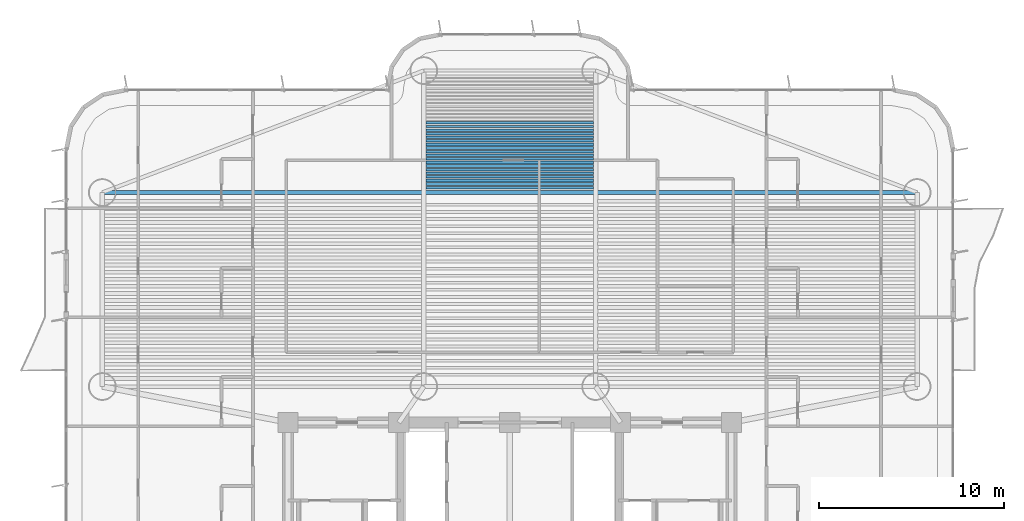
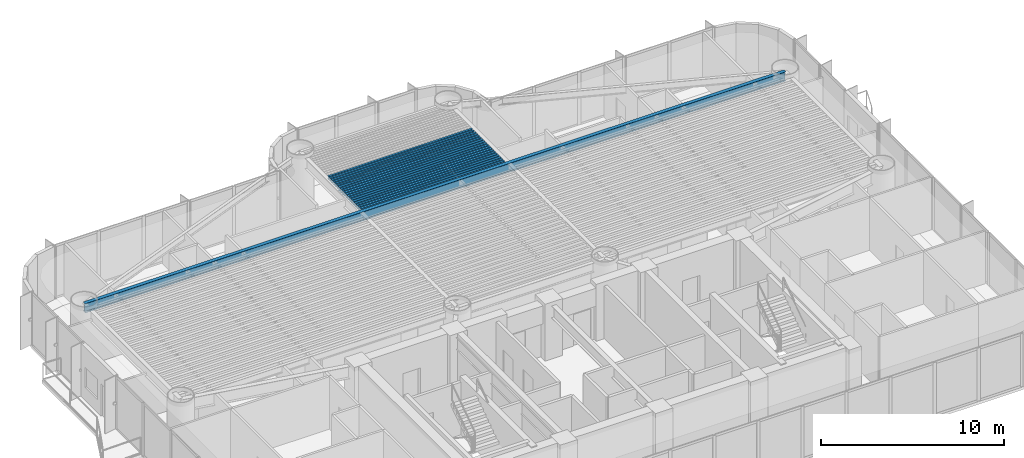
# One storey, part 4 of 18: 20 beams.
"""IFC4 building model written with IfcOpenShell, lengths in metres."""

from ifc_helpers import new_model, si_unit, direction, frame, origin, origin_2d, place, context, subcontext, project, spatial, i_section, extrude, source, transform, mapped, material, material_profile, profile_set, type_object, element, save


model = new_model("IFC4")

# Units and contexts
model_context = context("Model", 3, precision=1e-05, world=origin(), true_north=direction((0.0, 1.0)))
body_context = subcontext(model_context, "Body", "Model", "MODEL_VIEW")
ifc_project = project(units=[si_unit("LENGTHUNIT", "METRE"), si_unit("AREAUNIT", "SQUARE_METRE"), si_unit("VOLUMEUNIT", "CUBIC_METRE"), si_unit("PLANEANGLEUNIT", "RADIAN"), si_unit("MASSUNIT", "GRAM", prefix="KILO")], contexts=[model_context])

# Site, building, storey
site_placement = place(None, origin())
site = spatial("IfcSite", under=ifc_project, at=site_placement, CompositionType="ELEMENT")
building_placement = place(site_placement, origin())
building = spatial("IfcBuilding", under=site, at=building_placement, Name="Brelvock Crest Care Tower", CompositionType="ELEMENT")
storey_placement = place(building_placement, frame((0.0, 0.0, 38.340087890625)))
storey = spatial("IfcBuildingStorey", under=building, at=storey_placement, Name="L09", CompositionType="ELEMENT", Elevation=38.340087890625)

# Beams
ifc_material = material(Name="Steel Grade 350", Category="steel")
ifc_material_profile_1 = material_profile(ifc_material, i_section(OverallWidth=0.22900390625, OverallDepth=0.612060546875, WebThickness=0.011962890625, FlangeThickness=0.01953125, FilletRadius=0.013916015625, at=origin_2d()), Name="610UB125")
ifc_profile_set_1 = profile_set([ifc_material_profile_1], Name="Steel Grade 350")
beam_type_1 = type_object("IfcBeamType", Name="BM-G1", PredefinedType="BEAM", material=ifc_profile_set_1)
shared_shape_1 = source(origin(), body_context, "Body", "SweptSolid", [
    extrude(i_section(OverallWidth=0.22900390625, OverallDepth=0.612060546875, WebThickness=0.011962890625, FlangeThickness=0.01953125, FilletRadius=0.013916015625, at=origin_2d()), origin(), (0.0, 0.0, 1.0), 44.10009765625),
])
beam_placement = place(storey_placement, frame((13.949951171875, 30.449951171875, 3.223876953125), z_axis=(1.0, 0.0, 0.0), x_axis=(0.0, 1.0, 0.0)))
element("IfcBeam", 1, at=beam_placement, inside=storey, type_object=beam_type_1, Name="BM-TWR-L09-11", PredefinedType="BEAM", context=body_context, shape_type="MappedRepresentation", body=[
    mapped(shared_shape_1, transform((0.0, 0.0, 0.0), x_axis=(1.0, 0.0, 0.0), y_axis=(0.0, 1.0, 0.0), z_axis=(0.0, 0.0, 1.0), scale=1.0)),
])
ifc_material_profile_2 = material_profile(ifc_material, i_section(OverallWidth=0.14599609375, OverallDepth=0.256103515625, WebThickness=0.00634765625, FlangeThickness=0.010986328125, FilletRadius=0.0087890625, at=origin_2d()), Name="250UB37.3")
ifc_profile_set_2 = profile_set([ifc_material_profile_2], Name="Steel Grade 350")
beam_type_2 = type_object("IfcBeamType", Name="BM-J3", PredefinedType="JOIST", material=ifc_profile_set_2)
shared_shape_2 = source(origin(), body_context, "Body", "SweptSolid", [
    extrude(i_section(OverallWidth=0.14599609375, OverallDepth=0.256103515625, WebThickness=0.00634765625, FlangeThickness=0.010986328125, FilletRadius=0.0087890625, at=origin_2d()), origin(), (0.0, 0.0, 1.0), 9.06982421875),
])
for number, where, z_axis, x_axis, name in (
    (2, (31.465087890625, 30.714111328125, 3.40185546875), (1.0, 0.0, 0.0), (0.0, 1.0, 0.0), "BM-JN-L09-1"),
    (3, (31.465087890625, 30.90869140625, 3.40185546875), (1.0, 0.0, 0.0), (0.0, 1.0, 0.0), "BM-JN-L09-2"),
    (4, (31.465087890625, 31.103515625, 3.40185546875), (1.0, 0.0, 0.0), (0.0, 1.0, 0.0), "BM-JN-L09-3"),
    (5, (31.465087890625, 31.298095703125, 3.40185546875), (1.0, 0.0, 0.0), (0.0, 1.0, 0.0), "BM-JN-L09-4"),
    (6, (31.465087890625, 31.492919921875, 3.40185546875), (1.0, 0.0, 0.0), (0.0, 1.0, 0.0), "BM-JN-L09-5"),
    (7, (31.465087890625, 31.6875, 3.40185546875), (1.0, 0.0, 0.0), (0.0, 1.0, 0.0), "BM-JN-L09-6"),
    (8, (31.465087890625, 31.882080078125, 3.40185546875), (1.0, 0.0, 0.0), (0.0, 1.0, 0.0), "BM-JN-L09-7"),
    (9, (31.465087890625, 32.076904296875, 3.40185546875), (1.0, 0.0, 0.0), (0.0, 1.0, 0.0), "BM-JN-L09-8"),
    (10, (31.465087890625, 32.271484375, 3.40185546875), (1.0, 0.0, 0.0), (0.0, 1.0, 0.0), "BM-JN-L09-9"),
    (11, (31.465087890625, 32.46630859375, 3.40185546875), (1.0, 0.0, 0.0), (0.0, 1.0, 0.0), "BM-JN-L09-10"),
    (12, (31.465087890625, 32.660888671875, 3.40185546875), (1.0, 0.0, 0.0), (0.0, 1.0, 0.0), "BM-JN-L09-11"),
    (13, (31.465087890625, 32.855712890625, 3.40185546875), (1.0, 0.0, 0.0), (0.0, 1.0, 0.0), "BM-JN-L09-12"),
    (14, (31.465087890625, 33.05029296875, 3.40185546875), (1.0, 0.0, 0.0), (0.0, 1.0, 0.0), "BM-JN-L09-13"),
):
    element("IfcBeam", number, at=place(storey_placement, frame(where, z_axis=z_axis, x_axis=x_axis)), inside=storey, type_object=beam_type_2, Name=name, PredefinedType="JOIST", context=body_context, shape_type="MappedRepresentation", body=[
        mapped(shared_shape_2, transform((0.0, 0.0, 0.0), x_axis=(1.0, 0.0, 0.0), y_axis=(0.0, 1.0, 0.0), z_axis=(0.0, 0.0, 1.0), scale=1.0)),
    ])
ifc_material_profile_3 = material_profile(ifc_material, i_section(OverallWidth=0.134033203125, OverallDepth=0.20703125, WebThickness=0.00634765625, FlangeThickness=0.009521484375, FilletRadius=0.0087890625, at=origin_2d()), Name="200UB29.8")
ifc_profile_set_3 = profile_set([ifc_material_profile_3], Name="Steel Grade 350")
beam_type_3 = type_object("IfcBeamType", Name="BM-J4", PredefinedType="JOIST", material=ifc_profile_set_3)
shared_shape_3 = source(origin(), body_context, "Body", "SweptSolid", [
    extrude(i_section(OverallWidth=0.134033203125, OverallDepth=0.20703125, WebThickness=0.00634765625, FlangeThickness=0.009521484375, FilletRadius=0.0087890625, at=origin_2d()), origin(), (0.0, 0.0, 1.0), 9.06982421875),
])
for number, where, z_axis, x_axis, name in (
    (15, (31.465087890625, 33.2451171875, 3.426513671875), (1.0, 0.0, 0.0), (0.0, 1.0, 0.0), "BM-JN-L09-14"),
    (16, (31.465087890625, 33.439697265625, 3.426513671875), (1.0, 0.0, 0.0), (0.0, 1.0, 0.0), "BM-JN-L09-15"),
    (17, (31.465087890625, 33.634521484375, 3.426513671875), (1.0, 0.0, 0.0), (0.0, 1.0, 0.0), "BM-JN-L09-16"),
    (18, (31.465087890625, 33.8291015625, 3.426513671875), (1.0, 0.0, 0.0), (0.0, 1.0, 0.0), "BM-JN-L09-17"),
    (19, (31.465087890625, 34.02392578125, 3.426513671875), (1.0, 0.0, 0.0), (0.0, 1.0, 0.0), "BM-JN-L09-18"),
    (20, (31.465087890625, 34.218505859375, 3.426513671875), (1.0, 0.0, 0.0), (0.0, 1.0, 0.0), "BM-JN-L09-19"),
):
    element("IfcBeam", number, at=place(storey_placement, frame(where, z_axis=z_axis, x_axis=x_axis)), inside=storey, type_object=beam_type_3, Name=name, PredefinedType="JOIST", context=body_context, shape_type="MappedRepresentation", body=[
        mapped(shared_shape_3, transform((0.0, 0.0, 0.0), x_axis=(1.0, 0.0, 0.0), y_axis=(0.0, 1.0, 0.0), z_axis=(0.0, 0.0, 1.0), scale=1.0)),
    ])

save(model, "model.ifc")
